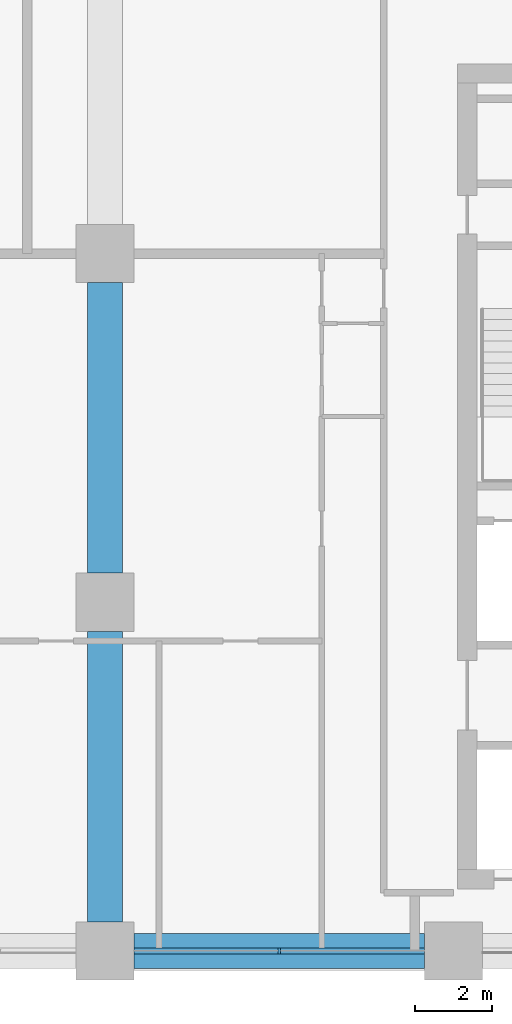
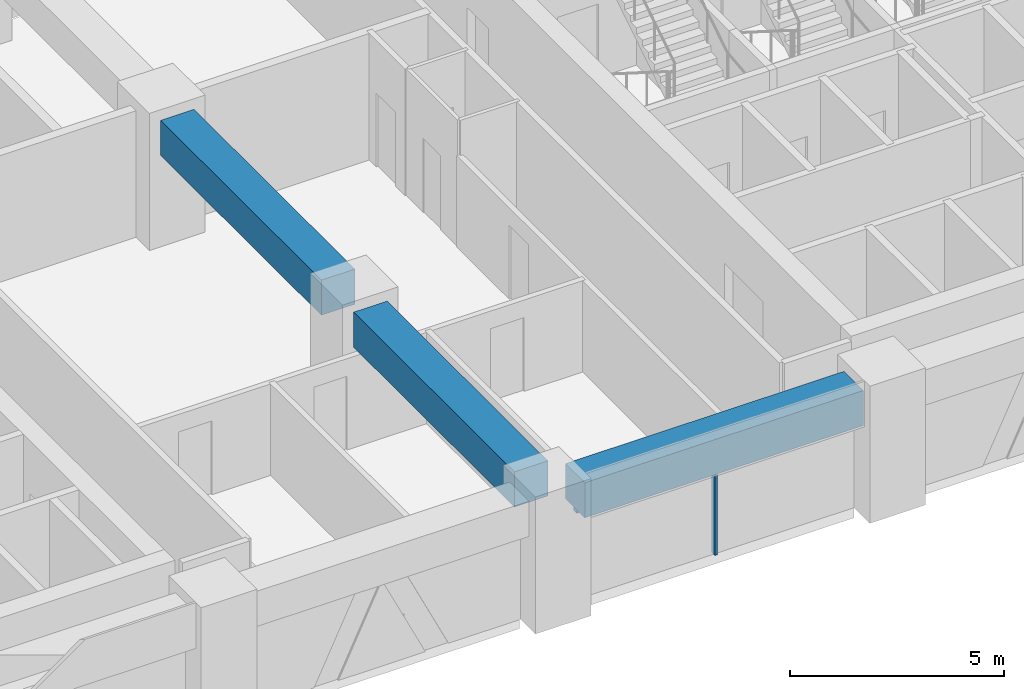
# One storey, part 3 of 19: 3 beams, 2 members, 1 element without a shape of its own.
"""IFC4 building model written with IfcOpenShell, lengths in metres."""

from ifc_helpers import new_model, si_unit, direction, frame, origin, origin_2d, place, context, subcontext, project, spatial, rectangle, extrude, material, material_profile, profile_set, type_object, element, aggregate, save


model = new_model("IFC4")

# Units and contexts
model_context = context("Model", 3, precision=1e-05, world=origin(), true_north=direction((0.0, 1.0)))
body_context = subcontext(model_context, "Body", "Model", "MODEL_VIEW")
ifc_project = project(units=[si_unit("LENGTHUNIT", "METRE"), si_unit("AREAUNIT", "SQUARE_METRE"), si_unit("VOLUMEUNIT", "CUBIC_METRE"), si_unit("PLANEANGLEUNIT", "RADIAN"), si_unit("MASSUNIT", "GRAM", prefix="KILO")], contexts=[model_context])

# Site, building, storey
site_placement = place(None, origin())
site = spatial("IfcSite", under=ifc_project, at=site_placement, CompositionType="ELEMENT")
building_placement = place(site_placement, origin())
building = spatial("IfcBuilding", under=site, at=building_placement, Name="Tessera Arch", CompositionType="ELEMENT")
storey_placement = place(building_placement, frame((0.0, 0.0, 170.0)))
storey = spatial("IfcBuildingStorey", under=building, at=storey_placement, Name="L40", CompositionType="ELEMENT", Elevation=170.0)

# Curtain wall, members
ifc_material_1 = material(Name="CW1 curtain wall")
curtain_wall_type = type_object("IfcCurtainWallType", Name="CW1 curtain wall", PredefinedType="NOTDEFINED", material=ifc_material_1)
curtain_wall_placement = place(storey_placement, origin())
curtain_wall = element("IfcCurtainWall", 1, at=curtain_wall_placement, inside=storey, type_object=curtain_wall_type, Name="CW1 curtain wall S27.0/3 L40", PredefinedType="NOTDEFINED")
ifc_material_2 = material(Name="Anodised aluminium pale metal", Category="aluminium")
ifc_material_profile_1 = material_profile(ifc_material_2, rectangle(XDim=0.159912109375, YDim=0.06005859375, at=origin_2d()), Name="AL 60x160")
ifc_profile_set_1 = profile_set([ifc_material_profile_1], Name="Anodised aluminium pale metal")
member_type_1 = type_object("IfcMemberType", Name="CW1 mullion", PredefinedType="MULLION", material=ifc_profile_set_1)
member_1_placement = place(storey_placement, frame((31.5, 27.0, 0.0), z_axis=(0.0, 0.0, 1.0), x_axis=(0.0, 1.0, 0.0)))
member_1 = element("IfcMember", 2, at=member_1_placement, type_object=member_type_1, Name="CW1 mullion S27.0/3 1", PredefinedType="MULLION", context=body_context, shape_type="SweptSolid", body=[
    extrude(rectangle(XDim=0.159912109375, YDim=0.06005859375, at=origin_2d()), origin(), (0.0, 0.0, 1.0), 2.5),
])
ifc_material_3 = material(Name="Anodised aluminium pale metal", Category="aluminium")
ifc_material_profile_2 = material_profile(ifc_material_3, rectangle(XDim=0.159912109375, YDim=0.10009765625, at=origin_2d()), Name="AL 160x100")
ifc_profile_set_2 = profile_set([ifc_material_profile_2], Name="Anodised aluminium pale metal")
member_type_2 = type_object("IfcMemberType", Name="CW1 transom", PredefinedType="USERDEFINED", material=ifc_profile_set_2)
member_2_placement = place(storey_placement, frame((27.75, 27.0, 2.550048828125), z_axis=(1.0, 0.0, 0.0), x_axis=(0.0, 1.0, 0.0)))
member_2 = element("IfcMember", 3, at=member_2_placement, type_object=member_type_2, Name="CW1 transom S27.0/3 1.1", ObjectType="TRANSOM", PredefinedType="USERDEFINED", context=body_context, shape_type="SweptSolid", body=[
    extrude(rectangle(XDim=0.159912109375, YDim=0.10009765625, at=origin_2d()), origin(), (0.0, 0.0, 1.0), 7.5),
])
aggregate(curtain_wall, [member_1, member_2])

# Beams
ifc_material_4 = material(Name="Concrete C70/85", Category="concrete")
ifc_material_profile_3 = material_profile(ifc_material_4, rectangle(XDim=0.89990234375, YDim=1.0, at=origin_2d()), Name="RC spandrel beam 900 x 1000 Concrete C70/85")
ifc_profile_set_3 = profile_set([ifc_material_profile_3], Name="Concrete C70/85")
beam_type = type_object("IfcBeamType", Name="RC spandrel beam 900 x 1000 Concrete C70/85", PredefinedType="BEAM", material=ifc_profile_set_3)
for number, where, z_axis, x_axis, name in (
    (4, (27.75, 27.0, 3.10009765625), (1.0, 0.0, 0.0), (0.0, 1.0, 0.0), "Spandrel beam L40 S27.0/3"),
    (5, (27.0, 27.75, 3.10009765625), (0.0, 1.0, 0.0), (-1.0, 0.0, 0.0), "Interface beam L40 I0C4D-C4E"),
    (6, (27.0, 36.75, 3.10009765625), (0.0, 1.0, 0.0), (-1.0, 0.0, 0.0), "Interface beam L40 I0C4E-C4F"),
):
    element("IfcBeam", number, at=place(storey_placement, frame(where, z_axis=z_axis, x_axis=x_axis)), inside=storey, type_object=beam_type, Name=name, PredefinedType="BEAM", context=body_context, shape_type="SweptSolid", body=[
        extrude(rectangle(XDim=0.89990234375, YDim=1.0, at=origin_2d()), origin(), (0.0, 0.0, 1.0), 7.5),
    ])

save(model, "model.ifc")
